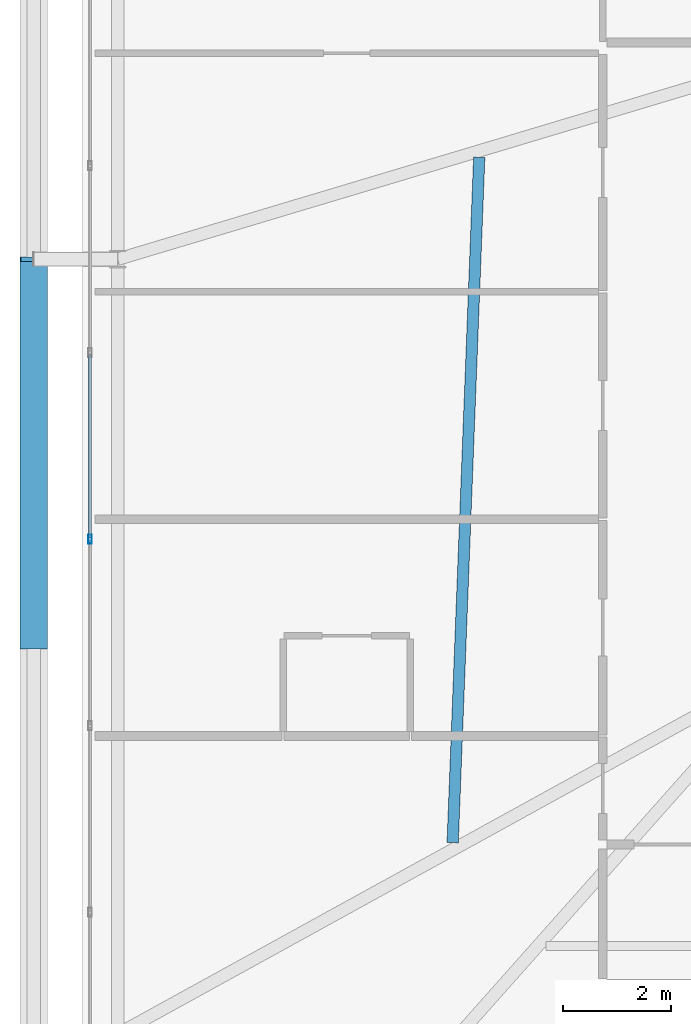
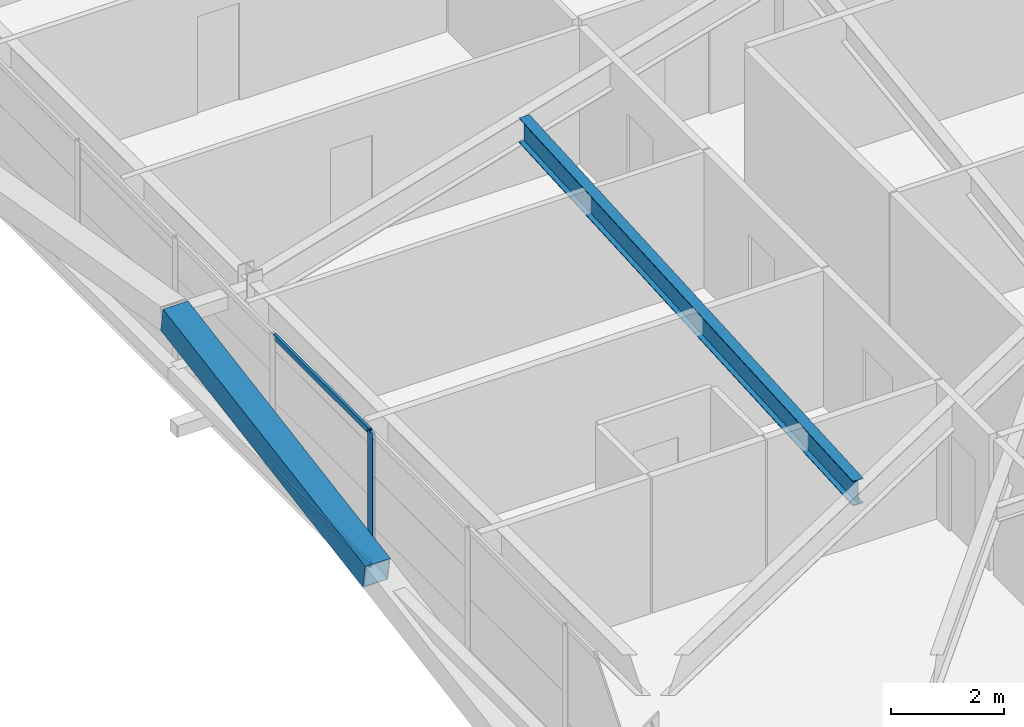
# One storey, part 10 of 59: 4 members, 1 beam, 1 element without a shape of its own.
"""IFC4 building model written with IfcOpenShell, lengths in metres."""

from ifc_helpers import new_model, si_unit, direction, frame, origin, origin_2d, place, context, subcontext, project, spatial, hollow_rectangle, i_section, extrude, source, transform, mapped, material, layer, layer_set, material_profile, profile_set, type_object, element, aggregate, save


model = new_model("IFC4")

# Units and contexts
model_context = context("Model", 3, precision=1e-05, world=origin(), true_north=direction((0.0, 1.0)))
body_context = subcontext(model_context, "Body", "Model", "MODEL_VIEW")
ifc_project = project(units=[si_unit("LENGTHUNIT", "METRE"), si_unit("AREAUNIT", "SQUARE_METRE"), si_unit("VOLUMEUNIT", "CUBIC_METRE"), si_unit("PLANEANGLEUNIT", "RADIAN"), si_unit("MASSUNIT", "GRAM", prefix="KILO")], contexts=[model_context])

# Site, building, storey
site_placement = place(None, origin())
site = spatial("IfcSite", under=ifc_project, at=site_placement, CompositionType="ELEMENT")
building_placement = place(site_placement, origin())
building = spatial("IfcBuilding", under=site, at=building_placement, Name="Taldren Reach Tower", CompositionType="ELEMENT")
storey_placement = place(building_placement, frame((0.0, 0.0, 23.10009765625)))
storey = spatial("IfcBuildingStorey", under=building, at=storey_placement, Name="L06", CompositionType="ELEMENT", Elevation=23.10009765625)

# Beam
ifc_material_1 = material(Name="Steel Gr 350 (350PLUS)", Category="steel")
ifc_material_profile_1 = material_profile(ifc_material_1, i_section(OverallWidth=0.208984375, OverallDepth=0.532958984375, WebThickness=0.01025390625, FlangeThickness=0.015625, at=origin_2d()), Name="530UB92.4")
ifc_profile_set_1 = profile_set([ifc_material_profile_1], Name="Steel Gr 350 (350PLUS)")
beam_type = type_object("IfcBeamType", Name="BM-UB530A", PredefinedType="BEAM", material=ifc_profile_set_1)
shared_shape_1 = source(origin(), body_context, "Body", "SweptSolid", [
    extrude(i_section(OverallWidth=0.208984375, OverallDepth=0.532958984375, WebThickness=0.01025390625, FlangeThickness=0.015625, at=origin_2d()), origin(), (0.0, 0.0, 1.0), 12.65625),
])
beam_placement = place(storey_placement, frame((11.830078125, 9.23291015625, 2.663330078125), z_axis=(0.0387346395, 0.99924953225, 0.0), x_axis=(-0.99924953225, 0.0387346395, 0.0)))
element("IfcBeam", 1, at=beam_placement, inside=storey, type_object=beam_type, Name="Secondary floor beam B1 J6 L06", PredefinedType="BEAM", context=body_context, shape_type="MappedRepresentation", body=[
    mapped(shared_shape_1, transform((0.0, 0.0, 0.0), scale=1.0)),
])

# Member
ifc_material_2 = material(Name="Steel Gr 450 (C450L0)", Category="steel")
ifc_material_profile_2 = material_profile(ifc_material_2, hollow_rectangle(XDim=0.510009765625, YDim=0.510009765625, WallThickness=0.02001953125, at=origin_2d()), Name="510x510x20.0SHS")
ifc_profile_set_2 = profile_set([ifc_material_profile_2], Name="Steel Gr 450 (C450L0)")
member_type_1 = type_object("IfcMemberType", Name="MB-EXO508", PredefinedType="BRACE", material=ifc_profile_set_2)
shared_shape_2 = source(origin(), body_context, "Body", "SweptSolid", [
    extrude(hollow_rectangle(XDim=0.510009765625, YDim=0.510009765625, WallThickness=0.02001953125, at=origin_2d()), origin(), (0.0, 0.0, 1.0), 7.25244140625),
])
member_1_placement = place(storey_placement, frame((4.10009765625, 12.85009765625, 1.434814453125), z_axis=(0.0, 0.985864855729, 0.167542490848), x_axis=(-1.0, 0.0, 0.0)))
element("IfcMember", 2, at=member_1_placement, inside=storey, type_object=member_type_1, Name="Exoskeleton Diagrid Brace B1-W1 L06", PredefinedType="BRACE", context=body_context, shape_type="MappedRepresentation", body=[
    mapped(shared_shape_2, transform((0.0, 0.0, 0.0), scale=1.0)),
])

# Curtain wall, members
ifc_material_3 = material(Name="Aluminium and Low-E Glass Unitised System", Category="aluminium")
ifc_layer = layer(ifc_material_3, 0.159912109375)
ifc_layer_set = layer_set([ifc_layer], Name="Aluminium and Low-E Glass Unitised System")
curtain_wall_type = type_object("IfcCurtainWallType", Name="CW-SYS-2", PredefinedType="NOTDEFINED", material=ifc_layer_set)
curtain_wall_placement = place(storey_placement, origin())
curtain_wall = element("IfcCurtainWall", 3, at=curtain_wall_placement, inside=storey, type_object=curtain_wall_type, Name="Unitised curtain wall CW-L06-W", PredefinedType="NOTDEFINED")
ifc_material_4 = material(Name="Anodised Aluminium 6063-T6", Category="aluminium")
ifc_material_profile_3 = material_profile(ifc_material_4, hollow_rectangle(XDim=0.06494140625, YDim=0.1650390625, WallThickness=0.00390625, at=origin_2d()), Name="ALU-165x65x4RHS")
ifc_profile_set_3 = profile_set([ifc_material_profile_3], Name="Anodised Aluminium 6063-T6")
member_type_2 = type_object("IfcMemberType", Name="CW-MUL-165", PredefinedType="MULLION", material=ifc_profile_set_3)
shared_shape_3 = source(origin(), body_context, "Body", "SweptSolid", [
    extrude(hollow_rectangle(XDim=0.06494140625, YDim=0.1650390625, WallThickness=0.00390625, at=origin_2d()), origin(), (0.0, 0.0, 1.0), 2.929931640625),
])
member_2_placement = place(storey_placement, frame((5.139892578125, 14.833251953125, 0.0), z_axis=(0.0, 0.0, 1.0), x_axis=(1.0, 0.0, 0.0)))
member_2 = element("IfcMember", 4, at=member_2_placement, type_object=member_type_2, Name="CW-2 mullion 7", PredefinedType="MULLION", context=body_context, shape_type="MappedRepresentation", body=[
    mapped(shared_shape_3, transform((0.0, 0.0, 0.0), scale=1.0)),
])
ifc_material_profile_4 = material_profile(ifc_material_4, hollow_rectangle(XDim=0.054931640625, YDim=0.1201171875, WallThickness=0.0029296875, at=origin_2d()), Name="ALU-120x55x3RHS")
ifc_profile_set_4 = profile_set([ifc_material_profile_4], Name="Anodised Aluminium 6063-T6")
member_type_3 = type_object("IfcMemberType", Name="CW-TRN-135", PredefinedType="USERDEFINED", material=ifc_profile_set_4)
shared_shape_4 = source(origin(), body_context, "Body", "SweptSolid", [
    extrude(hollow_rectangle(XDim=0.054931640625, YDim=0.1201171875, WallThickness=0.0029296875, at=origin_2d()), origin(), (0.0, 0.0, 1.0), 3.379638671875),
])
member_3_placement = place(storey_placement, frame((5.139892578125, 18.245361328125, 0.02734375), z_axis=(0.0, -1.0, 0.0), x_axis=(1.0, 0.0, 0.0)))
member_3 = element("IfcMember", 5, at=member_3_placement, type_object=member_type_3, Name="CW-2 transom 6.1", ObjectType="TRANSOM", PredefinedType="USERDEFINED", context=body_context, shape_type="MappedRepresentation", body=[
    mapped(shared_shape_4, transform((0.0, 0.0, 0.0), scale=1.0)),
])
member_4_placement = place(storey_placement, frame((5.139892578125, 18.245361328125, 2.90234375), z_axis=(0.0, -1.0, 0.0), x_axis=(1.0, 0.0, 0.0)))
member_4 = element("IfcMember", 6, at=member_4_placement, type_object=member_type_3, Name="CW-2 transom 6.2", ObjectType="TRANSOM", PredefinedType="USERDEFINED", context=body_context, shape_type="MappedRepresentation", body=[
    mapped(shared_shape_4, transform((0.0, 0.0, 0.0), scale=1.0)),
])
aggregate(curtain_wall, [member_2, member_3, member_4])

save(model, "model.ifc")
